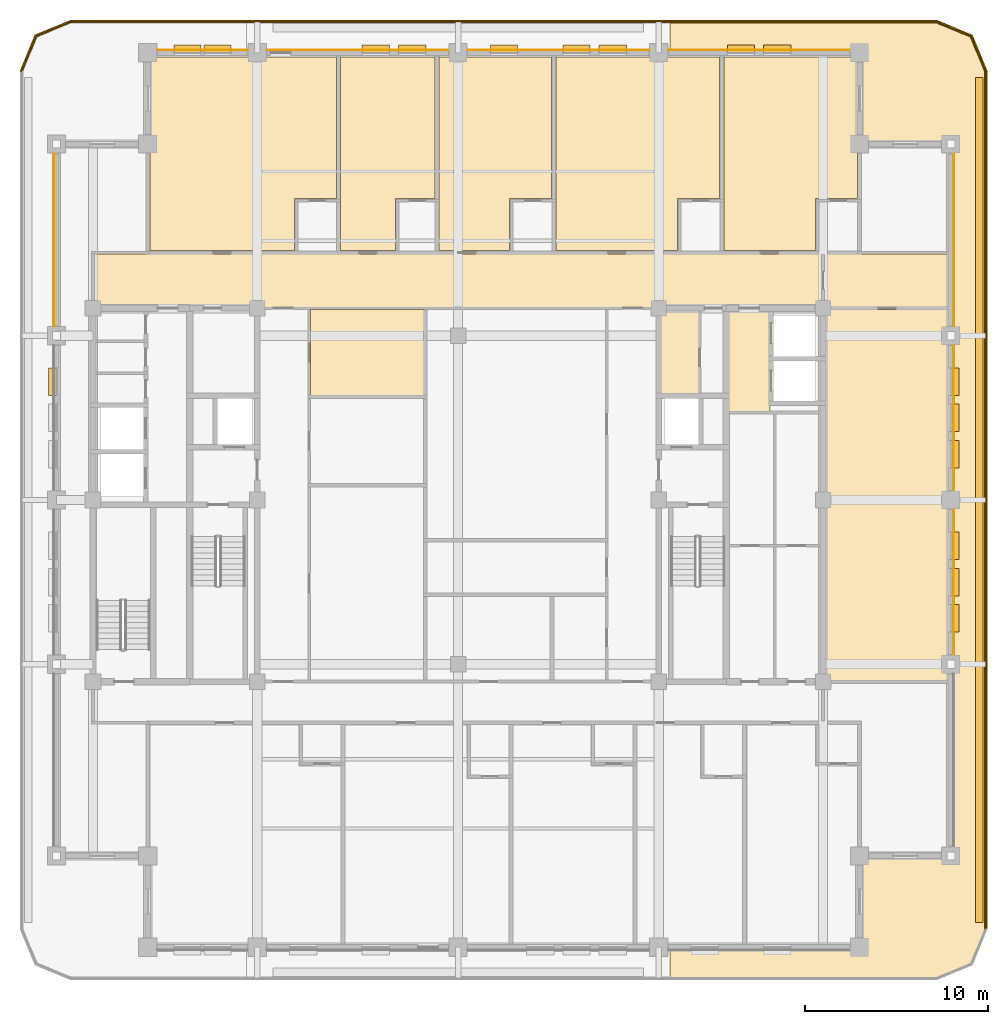
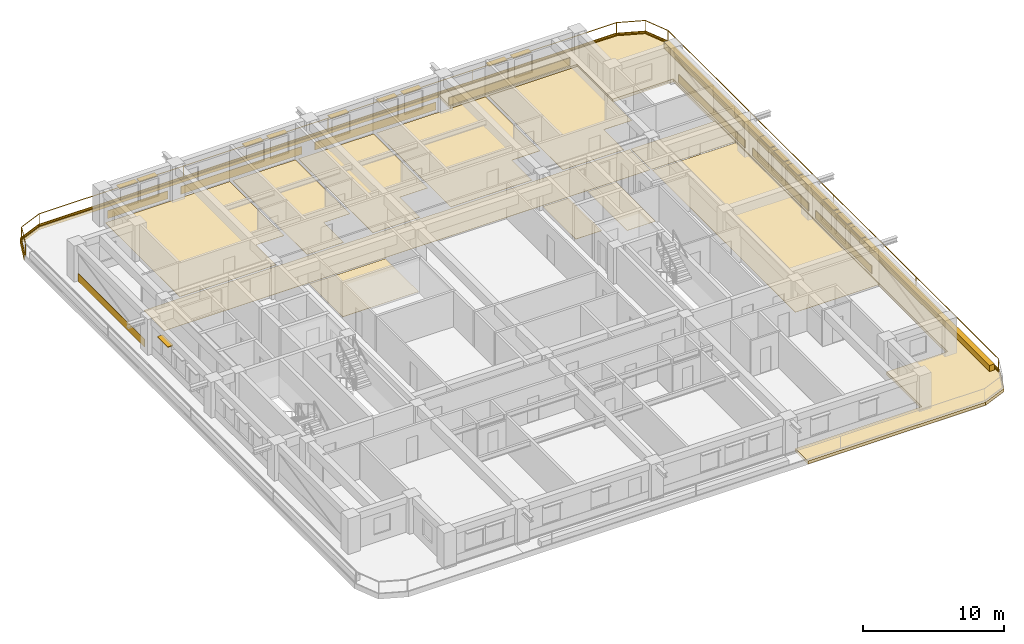
# One storey, part 15 of 15: 27 coverings, 16 shading devices, 2 railings.
"""IFC4 building model written with IfcOpenShell, lengths in metres."""

from ifc_helpers import new_model, si_unit, direction, frame, frame_2d, origin, origin_2d, place, context, subcontext, project, spatial, polyline, rectangle, outline, extrude, material, layer, layer_set, type_object, element, save


model = new_model("IFC4")

# Units and contexts
model_context = context("Model", 3, precision=1e-05, world=origin(), true_north=direction((0.0, 1.0)))
body_context = subcontext(model_context, "Body", "Model", "MODEL_VIEW")
ifc_project = project(units=[si_unit("LENGTHUNIT", "METRE"), si_unit("AREAUNIT", "SQUARE_METRE"), si_unit("VOLUMEUNIT", "CUBIC_METRE"), si_unit("PLANEANGLEUNIT", "RADIAN"), si_unit("MASSUNIT", "GRAM", prefix="KILO")], contexts=[model_context])

# Site, building, storey
site_placement = place(None, origin())
site = spatial("IfcSite", under=ifc_project, at=site_placement, CompositionType="ELEMENT")
building_placement = place(site_placement, origin())
building = spatial("IfcBuilding", under=site, at=building_placement, Name="Zulmaris Gate Convention Tower", CompositionType="ELEMENT")
storey_placement = place(building_placement, frame((0.0, 0.0, 172.85986328125)))
storey = spatial("IfcBuildingStorey", under=building, at=storey_placement, Name="L44", CompositionType="ELEMENT", Elevation=172.85986328125)

# Coverings
ifc_material_1 = material(Name="Precast concrete C40/50", Category="concrete")
ifc_layer_1 = layer(ifc_material_1, 0.0400390625, Name="Precast concrete C40/50")
ifc_layer_set_1 = layer_set([ifc_layer_1], Name="Precast concrete C40/50")
covering_type_1 = type_object("IfcCoveringType", Name="CLAD-SPANDREL-PRECAST", PredefinedType="CLADDING", material=ifc_layer_set_1)
covering_1_placement = place(storey_placement, frame((-11.530029296875, 24.64990234375, 0.0), z_axis=(0.0, 0.0, 1.0), x_axis=(-1.0, 0.0, 0.0)))
element("IfcCovering", 1, at=covering_1_placement, inside=storey, type_object=covering_type_1, Name="CLD-L44-N-0_0", PredefinedType="CLADDING", context=body_context, shape_type="SweptSolid", body=[
    extrude(rectangle(XDim=4.93994140625, YDim=0.0400390625, at=frame_2d((2.469970703125, 0.0))), origin(), (0.0, 0.0, 1.0), 0.679931640625),
])
for number, where, z_axis, x_axis, name in (
    (2, (-0.530029296875, 24.64990234375, 0.0), (0.0, 0.0, 1.0), (-1.0, 0.0, 0.0), "CLD-L44-N-1_0"),
    (3, (10.469970703125, 24.64990234375, 0.0), (0.0, 0.0, 1.0), (-1.0, 0.0, 0.0), "CLD-L44-N-2_0"),
    (4, (21.469970703125, 24.64990234375, 0.0), (0.0, 0.0, 1.0), (-1.0, 0.0, 0.0), "CLD-L44-N-3_0"),
):
    element("IfcCovering", number, at=place(storey_placement, frame(where, z_axis=z_axis, x_axis=x_axis)), inside=storey, type_object=covering_type_1, Name=name, PredefinedType="CLADDING", context=body_context, shape_type="SweptSolid", body=[
        extrude(rectangle(XDim=9.93994140625, YDim=0.0400390625, at=frame_2d((4.969970703125, 0.0))), origin(), (0.0, 0.0, 1.0), 0.679931640625),
    ])
for number, where, z_axis, x_axis, name in (
    (5, (27.14990234375, -8.469970703125, 0.0), (0.0, 0.0, 1.0), (0.0, 1.0, 0.0), "CLD-L44-E-1_0"),
    (6, (27.14990234375, 0.530029296875, 0.0), (0.0, 0.0, 1.0), (0.0, 1.0, 0.0), "CLD-L44-E-2_0"),
):
    element("IfcCovering", number, at=place(storey_placement, frame(where, z_axis=z_axis, x_axis=x_axis)), inside=storey, type_object=covering_type_1, Name=name, PredefinedType="CLADDING", context=body_context, shape_type="SweptSolid", body=[
        extrude(rectangle(XDim=7.93994140625, YDim=0.0400390625, at=frame_2d((3.969970703125, 0.0))), origin(), (0.0, 0.0, 1.0), 0.679931640625),
    ])
for number, where, z_axis, x_axis, name in (
    (7, (27.14990234375, 9.530029296875, 0.0), (0.0, 0.0, 1.0), (0.0, 1.0, 0.0), "CLD-L44-E-3_0"),
    (8, (-22.14990234375, 18.969970703125, 0.0), (0.0, 0.0, 1.0), (0.0, -1.0, 0.0), "CLD-L44-W-3_0"),
):
    element("IfcCovering", number, at=place(storey_placement, frame(where, z_axis=z_axis, x_axis=x_axis)), inside=storey, type_object=covering_type_1, Name=name, PredefinedType="CLADDING", context=body_context, shape_type="SweptSolid", body=[
        extrude(rectangle(XDim=9.43994140625, YDim=0.0400390625, at=frame_2d((4.719970703125, 0.0))), origin(), (0.0, 0.0, 1.0), 0.679931640625),
    ])
ifc_material_2 = material(Name="White Glazed Architectural Precast Concrete C40/50", Category="concrete")
ifc_layer_2 = layer(ifc_material_2, 0.239990234375, Name="White Glazed Architectural Precast Concrete C40/50")
ifc_layer_set_2 = layer_set([ifc_layer_2], Name="White Glazed Architectural Precast Concrete C40/50")
covering_type_2 = type_object("IfcCoveringType", Name="CLAD-TRAY-DECK", PredefinedType="CLADDING", material=ifc_layer_set_2)
covering_2_placement = place(storey_placement, frame((0.0, 0.0, -0.25)))
element("IfcCovering", 9, at=covering_2_placement, inside=storey, type_object=covering_type_2, Name="L44 East Rounded-Fascia Planter Tray Deck", PredefinedType="CLADDING", context=body_context, shape_type="SweptSolid", body=[
    extrude(outline(polyline([(26.199951171875, 26.300048828125), (28.179931640625, 25.47998046875), (29.0, 23.5), (29.0, -23.5), (28.179931640625, -25.47998046875), (26.199951171875, -26.300048828125), (11.60205078125, -26.300048828125), (11.60205078125, -24.5), (22.0, -24.5), (22.0, -19.5), (27.0, -19.5), (27.0, 19.5), (22.0, 19.5), (22.0, 24.5), (11.60205078125, 24.5), (11.60205078125, 26.300048828125), (26.199951171875, 26.300048828125)])), origin(), (0.0, 0.0, 1.0), 0.260009765625),
])
ifc_layer_3 = layer(ifc_material_2, 0.080078125, Name="White Glazed Architectural Precast Concrete C40/50")
ifc_layer_set_3 = layer_set([ifc_layer_3], Name="White Glazed Architectural Precast Concrete C40/50")
covering_type_3 = type_object("IfcCoveringType", Name="CLAD-TRAY-FASCIA", PredefinedType="CLADDING", material=ifc_layer_set_3)
covering_3_placement = place(storey_placement, frame((28.9599609375, -23.5, -0.2900390625), z_axis=(0.0, 0.0, 1.0), x_axis=(0.0, 1.0, 0.0)))
element("IfcCovering", 10, at=covering_3_placement, inside=storey, type_object=covering_type_3, Name="FSC-L44-TR-05", PredefinedType="CLADDING", context=body_context, shape_type="SweptSolid", body=[
    extrude(rectangle(XDim=47.0, YDim=0.080078125, at=frame_2d((23.5, 0.0))), origin(), (0.0, 0.0, 1.0), 0.4599609375),
])
covering_4_placement = place(storey_placement, frame((28.962890625, 23.484619140625, -0.2900390625), z_axis=(0.0, 0.0, 1.0), x_axis=(-0.382656984709, 0.923890487046, 0.0)))
element("IfcCovering", 11, at=covering_4_placement, inside=storey, type_object=covering_type_3, Name="FSC-L44-TR-06", PredefinedType="CLADDING", context=body_context, shape_type="SweptSolid", body=[
    extrude(rectangle(XDim=2.14306640625, YDim=0.080078125, at=frame_2d((1.071533203125, 0.0))), origin(), (0.0, 0.0, 1.0), 0.4599609375),
])
covering_5_placement = place(storey_placement, frame((28.16455078125, 25.44287109375, -0.2900390625), z_axis=(0.0, 0.0, 1.0), x_axis=(-0.923873803533, 0.382697263049, 0.0)))
element("IfcCovering", 12, at=covering_5_placement, inside=storey, type_object=covering_type_3, Name="FSC-L44-TR-07", PredefinedType="CLADDING", context=body_context, shape_type="SweptSolid", body=[
    extrude(rectangle(XDim=2.142822265625, YDim=0.080078125, at=frame_2d((1.0712890625, 0.0))), origin(), (0.0, 0.0, 1.0), 0.4599609375),
])
covering_6_placement = place(storey_placement, frame((26.199951171875, 26.260009765625, -0.2900390625), z_axis=(0.0, 0.0, 1.0), x_axis=(-1.0, 0.0, 0.0)))
element("IfcCovering", 13, at=covering_6_placement, inside=storey, type_object=covering_type_3, Name="FSC-L44-TR-08", PredefinedType="CLADDING", context=body_context, shape_type="SweptSolid", body=[
    extrude(rectangle(XDim=47.39990234375, YDim=0.080078125, at=frame_2d((23.699951171875, 0.0))), origin(), (0.0, 0.0, 1.0), 0.4599609375),
])
covering_7_placement = place(storey_placement, frame((-21.184814453125, 26.262939453125, -0.2900390625), z_axis=(0.0, 0.0, 1.0), x_axis=(-0.923873803533, -0.382697263049, 0.0)))
element("IfcCovering", 14, at=covering_7_placement, inside=storey, type_object=covering_type_3, Name="FSC-L44-TR-09", PredefinedType="CLADDING", context=body_context, shape_type="SweptSolid", body=[
    extrude(rectangle(XDim=2.142822265625, YDim=0.080078125, at=frame_2d((1.0712890625, 0.0))), origin(), (0.0, 0.0, 1.0), 0.4599609375),
])
covering_8_placement = place(storey_placement, frame((-23.142822265625, 25.464599609375, -0.2900390625), z_axis=(0.0, 0.0, 1.0), x_axis=(-0.382656984709, -0.923890487046, 0.0)))
element("IfcCovering", 15, at=covering_8_placement, inside=storey, type_object=covering_type_3, Name="FSC-L44-TR-10", PredefinedType="CLADDING", context=body_context, shape_type="SweptSolid", body=[
    extrude(rectangle(XDim=2.14306640625, YDim=0.080078125, at=frame_2d((1.071533203125, 0.0))), origin(), (0.0, 0.0, 1.0), 0.4599609375),
])
ifc_material_3 = material(Name="Woven Acoustic Wool Carpet Tile")
ifc_layer_4 = layer(ifc_material_3, 0.02001953125, Name="Woven Acoustic Wool Carpet Tile")
ifc_layer_set_4 = layer_set([ifc_layer_4], Name="Woven Acoustic Wool Carpet Tile")
covering_type_4 = type_object("IfcCoveringType", Name="FLR-CARPET-12", PredefinedType="FLOORING", material=ifc_layer_set_4)
covering_9_placement = place(storey_placement, origin())
element("IfcCovering", 16, at=covering_9_placement, inside=storey, type_object=covering_type_4, Name="FLR-L44-R12", PredefinedType="FLOORING", context=body_context, shape_type="SweptSolid", body=[
    extrude(outline(polyline([(11.06005859375, 5.760009765625), (13.18994140625, 5.760009765625), (13.18994140625, 10.43994140625), (11.06005859375, 10.43994140625), (11.06005859375, 5.760009765625)])), origin(), (0.0, 0.0, 1.0), 0.02001953125),
])
covering_10_placement = place(storey_placement, origin())
element("IfcCovering", 17, at=covering_10_placement, inside=storey, type_object=covering_type_4, Name="FLR-L44-R24", PredefinedType="FLOORING", context=body_context, shape_type="SweptSolid", body=[
    extrude(outline(polyline([(14.760009765625, 4.860107421875), (17.090087890625, 4.860107421875), (17.090087890625, 10.43994140625), (14.760009765625, 10.43994140625), (14.760009765625, 4.860107421875)])), origin(), (0.0, 0.0, 1.0), 0.02001953125),
])
covering_11_placement = place(storey_placement, origin())
element("IfcCovering", 18, at=covering_11_placement, inside=storey, type_object=covering_type_4, Name="FLR-L44-R31", PredefinedType="FLOORING", context=body_context, shape_type="SweptSolid", body=[
    extrude(outline(polyline([(-19.93994140625, 10.56005859375), (19.93994140625, 10.56005859375), (19.93994140625, 13.489990234375), (-19.93994140625, 13.489990234375), (-19.93994140625, 10.56005859375)])), origin(), (0.0, 0.0, 1.0), 0.02001953125),
])
covering_12_placement = place(storey_placement, origin())
element("IfcCovering", 19, at=covering_12_placement, inside=storey, type_object=covering_type_4, Name="FLR-L44-R38", PredefinedType="FLOORING", context=body_context, shape_type="SweptSolid", body=[
    extrude(outline(polyline([(-6.429931640625, 13.669921875), (-3.429931640625, 13.669921875), (-3.429931640625, 16.52001953125), (-1.27001953125, 16.52001953125), (-1.27001953125, 24.260009765625), (-6.429931640625, 24.260009765625), (-6.429931640625, 13.669921875)])), origin(), (0.0, 0.0, 1.0), 0.02001953125),
])
covering_13_placement = place(storey_placement, origin())
element("IfcCovering", 20, at=covering_13_placement, inside=storey, type_object=covering_type_4, Name="FLR-L44-R62", PredefinedType="FLOORING", context=body_context, shape_type="SweptSolid", body=[
    extrude(outline(polyline([(20.06005859375, 10.56005859375), (26.93994140625, 10.56005859375), (26.93994140625, 13.489990234375), (20.06005859375, 13.489990234375), (20.06005859375, 10.56005859375)])), origin(), (0.0, 0.0, 1.0), 0.02001953125),
])
ifc_material_4 = material(Name="Engineered Teak Parquet Flooring")
ifc_layer_5 = layer(ifc_material_4, 0.02001953125, Name="Engineered Teak Parquet Flooring")
ifc_layer_set_5 = layer_set([ifc_layer_5], Name="Engineered Teak Parquet Flooring")
covering_type_5 = type_object("IfcCoveringType", Name="FLR-TIMBER-18", PredefinedType="FLOORING", material=ifc_layer_set_5)
covering_14_placement = place(storey_placement, origin())
element("IfcCovering", 21, at=covering_14_placement, inside=storey, type_object=covering_type_5, Name="FLR-L44-R36", PredefinedType="FLOORING", context=body_context, shape_type="SweptSolid", body=[
    extrude(outline(polyline([(-16.8798828125, 13.669921875), (-8.969970703125, 13.669921875), (-8.969970703125, 16.52001953125), (-6.669921875, 16.52001953125), (-6.669921875, 24.260009765625), (-16.8798828125, 24.260009765625), (-16.8798828125, 13.669921875)])), origin(), (0.0, 0.0, 1.0), 0.02001953125),
])
covering_15_placement = place(storey_placement, origin())
element("IfcCovering", 22, at=covering_15_placement, inside=storey, type_object=covering_type_5, Name="FLR-L44-R40", PredefinedType="FLOORING", context=body_context, shape_type="SweptSolid", body=[
    extrude(outline(polyline([(-1.030029296875, 13.669921875), (2.830078125, 13.669921875), (2.830078125, 16.52001953125), (5.1298828125, 16.52001953125), (5.1298828125, 24.260009765625), (-1.030029296875, 24.260009765625), (-1.030029296875, 13.669921875)])), origin(), (0.0, 0.0, 1.0), 0.02001953125),
])
covering_16_placement = place(storey_placement, origin())
element("IfcCovering", 23, at=covering_16_placement, inside=storey, type_object=covering_type_5, Name="FLR-L44-R42", PredefinedType="FLOORING", context=body_context, shape_type="SweptSolid", body=[
    extrude(outline(polyline([(5.3701171875, 13.669921875), (12.030029296875, 13.669921875), (12.030029296875, 16.52001953125), (14.330078125, 16.52001953125), (14.330078125, 24.260009765625), (5.3701171875, 24.260009765625), (5.3701171875, 13.669921875)])), origin(), (0.0, 0.0, 1.0), 0.02001953125),
])
covering_17_placement = place(storey_placement, origin())
element("IfcCovering", 24, at=covering_17_placement, inside=storey, type_object=covering_type_5, Name="FLR-L44-R44", PredefinedType="FLOORING", context=body_context, shape_type="SweptSolid", body=[
    extrude(outline(polyline([(14.570068359375, 13.669921875), (19.580078125, 13.669921875), (19.580078125, 16.52001953125), (21.8798828125, 16.52001953125), (21.8798828125, 24.260009765625), (14.570068359375, 24.260009765625), (14.570068359375, 13.669921875)])), origin(), (0.0, 0.0, 1.0), 0.02001953125),
])
covering_18_placement = place(storey_placement, origin())
element("IfcCovering", 25, at=covering_18_placement, inside=storey, type_object=covering_type_5, Name="FLR-L44-R55", PredefinedType="FLOORING", context=body_context, shape_type="SweptSolid", body=[
    extrude(outline(polyline([(-8.090087890625, 5.7099609375), (-1.860107421875, 5.7099609375), (-1.860107421875, 10.43994140625), (-8.090087890625, 10.43994140625), (-8.090087890625, 5.7099609375)])), origin(), (0.0, 0.0, 1.0), 0.02001953125),
])
covering_19_placement = place(storey_placement, origin())
element("IfcCovering", 26, at=covering_19_placement, inside=storey, type_object=covering_type_5, Name="FLR-L44-R63", PredefinedType="FLOORING", context=body_context, shape_type="SweptSolid", body=[
    extrude(outline(polyline([(20.06005859375, -9.889892578125), (26.93994140625, -9.889892578125), (26.93994140625, 10.43994140625), (20.06005859375, 10.43994140625), (20.06005859375, -9.889892578125)])), origin(), (0.0, 0.0, 1.0), 0.02001953125),
])
ifc_material_5 = material(Name="Botanical Green Glazed Precast Concrete C40/50", Category="concrete")
ifc_layer_6 = layer(ifc_material_5, 0.419921875, Name="Botanical Green Glazed Precast Concrete C40/50")
ifc_layer_set_6 = layer_set([ifc_layer_6], Name="Botanical Green Glazed Precast Concrete C40/50")
covering_type_6 = type_object("IfcCoveringType", Name="PLANTER-BOX-200", PredefinedType="CLADDING", material=ifc_layer_set_6)
covering_20_placement = place(storey_placement, frame((0.0, 0.0, 0.010009765625)))
element("IfcCovering", 27, at=covering_20_placement, inside=storey, type_object=covering_type_6, Name="L44 E Full-Length Balcony Tree Planter Trough", PredefinedType="CLADDING", context=body_context, shape_type="SweptSolid", body=[
    extrude(outline(polyline([(28.340087890625, -23.14990234375), (28.760009765625, -23.14990234375), (28.760009765625, 23.14990234375), (28.340087890625, 23.14990234375), (28.340087890625, -23.14990234375)])), origin(), (0.0, 0.0, 1.0), 0.52001953125),
])

# Railings
ifc_material_6 = material(Name="Laminated Glass and Stainless Steel", Category="steel")
railing_type = type_object("IfcRailingType", Name="RL-BALC-1150", PredefinedType="BALUSTRADE", material=ifc_material_6)
railing_1_placement = place(storey_placement, frame((28.8798828125, -23.5, 0.010009765625)))
element("IfcRailing", 28, at=railing_1_placement, inside=storey, type_object=railing_type, Name="RL-L44-BALC-E", PredefinedType="BALUSTRADE", context=body_context, shape_type="SweptSolid", body=[
    extrude(rectangle(XDim=0.048095703125, YDim=0.048095703125, at=origin_2d()), frame((0.0, 0.0, 1.1259765625), z_axis=(0.0, 1.0, 0.0), x_axis=(-1.0, 0.0, 0.0)), (0.0, 0.0, 1.0), 47.0),
    extrude(rectangle(XDim=0.048095703125, YDim=0.048095703125, at=origin_2d()), frame((0.0, 0.0, 0.02392578125), z_axis=(0.0, 1.0, 0.0), x_axis=(-1.0, 0.0, 0.0)), (0.0, 0.0, 1.0), 47.0),
    extrude(rectangle(XDim=0.0419921875, YDim=0.0419921875, at=origin_2d()), origin(), (0.0, 0.0, 1.0), 1.101806640625),
    extrude(rectangle(XDim=0.0419921875, YDim=0.0419921875, at=origin_2d()), frame((0.0, 11.75, 0.0)), (0.0, 0.0, 1.0), 1.101806640625),
    extrude(rectangle(XDim=0.0419921875, YDim=0.0419921875, at=origin_2d()), frame((0.0, 23.5, 0.0)), (0.0, 0.0, 1.0), 1.101806640625),
    extrude(rectangle(XDim=0.0419921875, YDim=0.0419921875, at=origin_2d()), frame((0.0, 35.25, 0.0)), (0.0, 0.0, 1.0), 1.101806640625),
    extrude(rectangle(XDim=0.0419921875, YDim=0.0419921875, at=origin_2d()), frame((0.0, 47.0, 0.0)), (0.0, 0.0, 1.0), 1.101806640625),
])
railing_2_placement = place(storey_placement, frame((28.8798828125, 23.5, 0.010009765625)))
element("IfcRailing", 29, at=railing_2_placement, inside=storey, type_object=railing_type, Name="RL-L44-BALC-N", PredefinedType="BALUSTRADE", context=body_context, shape_type="SweptSolid", body=[
    extrude(rectangle(XDim=0.048095703125, YDim=0.048095703125, at=origin_2d()), frame((0.0, 0.0, 1.1259765625), z_axis=(-0.382670664694, 0.92388482095, 0.0), x_axis=(-0.92388482095, -0.382670664694, 0.0)), (0.0, 0.0, 1.0), 2.051025390625),
    extrude(rectangle(XDim=0.048095703125, YDim=0.048095703125, at=origin_2d()), frame((0.0, 0.0, 0.02392578125), z_axis=(-0.382670664694, 0.92388482095, 0.0), x_axis=(-0.92388482095, -0.382670664694, 0.0)), (0.0, 0.0, 1.0), 2.051025390625),
    extrude(rectangle(XDim=0.048095703125, YDim=0.048095703125, at=origin_2d()), frame((-0.784912109375, 1.89501953125, 1.1259765625), z_axis=(-0.92388482095, 0.382670664694, 0.0), x_axis=(-0.382670664694, -0.92388482095, 0.0)), (0.0, 0.0, 1.0), 2.051025390625),
    extrude(rectangle(XDim=0.048095703125, YDim=0.048095703125, at=origin_2d()), frame((-0.784912109375, 1.89501953125, 0.02392578125), z_axis=(-0.92388482095, 0.382670664694, 0.0), x_axis=(-0.382670664694, -0.92388482095, 0.0)), (0.0, 0.0, 1.0), 2.051025390625),
    extrude(rectangle(XDim=0.048095703125, YDim=0.048095703125, at=origin_2d()), frame((-2.679931640625, 2.679931640625, 1.1259765625), z_axis=(-1.0, 0.0, 0.0), x_axis=(0.0, -1.0, 0.0)), (0.0, 0.0, 1.0), 47.39990234375),
    extrude(rectangle(XDim=0.048095703125, YDim=0.048095703125, at=origin_2d()), frame((-2.679931640625, 2.679931640625, 0.02392578125), z_axis=(-1.0, 0.0, 0.0), x_axis=(0.0, -1.0, 0.0)), (0.0, 0.0, 1.0), 47.39990234375),
    extrude(rectangle(XDim=0.048095703125, YDim=0.048095703125, at=origin_2d()), frame((-50.079833984375, 2.679931640625, 1.1259765625), z_axis=(-0.92388482095, -0.382670664694, 0.0), x_axis=(0.382670664694, -0.92388482095, 0.0)), (0.0, 0.0, 1.0), 2.051025390625),
    extrude(rectangle(XDim=0.048095703125, YDim=0.048095703125, at=origin_2d()), frame((-50.079833984375, 2.679931640625, 0.02392578125), z_axis=(-0.92388482095, -0.382670664694, 0.0), x_axis=(0.382670664694, -0.92388482095, 0.0)), (0.0, 0.0, 1.0), 2.051025390625),
    extrude(rectangle(XDim=0.048095703125, YDim=0.048095703125, at=origin_2d()), frame((-51.974853515625, 1.89501953125, 1.1259765625), z_axis=(-0.382670664694, -0.92388482095, 0.0), x_axis=(0.92388482095, -0.382670664694, 0.0)), (0.0, 0.0, 1.0), 2.051025390625),
    extrude(rectangle(XDim=0.048095703125, YDim=0.048095703125, at=origin_2d()), frame((-51.974853515625, 1.89501953125, 0.02392578125), z_axis=(-0.382670664694, -0.92388482095, 0.0), x_axis=(0.92388482095, -0.382670664694, 0.0)), (0.0, 0.0, 1.0), 2.051025390625),
    extrude(rectangle(XDim=0.0419921875, YDim=0.0419921875, at=origin_2d()), origin(), (0.0, 0.0, 1.0), 1.101806640625),
    extrude(rectangle(XDim=0.0419921875, YDim=0.0419921875, at=origin_2d()), frame((-0.784912109375, 1.89501953125, 0.0)), (0.0, 0.0, 1.0), 1.101806640625),
    extrude(rectangle(XDim=0.0419921875, YDim=0.0419921875, at=origin_2d()), frame((-2.679931640625, 2.679931640625, 0.0)), (0.0, 0.0, 1.0), 1.101806640625),
    extrude(rectangle(XDim=0.0419921875, YDim=0.0419921875, at=origin_2d()), frame((-14.52978515625, 2.679931640625, 0.0)), (0.0, 0.0, 1.0), 1.101806640625),
    extrude(rectangle(XDim=0.0419921875, YDim=0.0419921875, at=origin_2d()), frame((-26.3798828125, 2.679931640625, 0.0)), (0.0, 0.0, 1.0), 1.101806640625),
    extrude(rectangle(XDim=0.0419921875, YDim=0.0419921875, at=origin_2d()), frame((-38.22998046875, 2.679931640625, 0.0)), (0.0, 0.0, 1.0), 1.101806640625),
    extrude(rectangle(XDim=0.0419921875, YDim=0.0419921875, at=origin_2d()), frame((-50.079833984375, 2.679931640625, 0.0)), (0.0, 0.0, 1.0), 1.101806640625),
    extrude(rectangle(XDim=0.0419921875, YDim=0.0419921875, at=origin_2d()), frame((-51.974853515625, 1.89501953125, 0.0)), (0.0, 0.0, 1.0), 1.101806640625),
    extrude(rectangle(XDim=0.0419921875, YDim=0.0419921875, at=origin_2d()), frame((-52.759765625, 0.0, 0.0)), (0.0, 0.0, 1.0), 1.101806640625),
])

# Shading devices
ifc_material_7 = material(Name="Glazed Ceramic Terracotta", Category="masonry")
ifc_layer_7 = layer(ifc_material_7, 0.070068359375, Name="Glazed Ceramic Terracotta")
ifc_layer_set_7 = layer_set([ifc_layer_7], Name="Glazed Ceramic Terracotta")
shading_device_type = type_object("IfcShadingDeviceType", Name="SHD-SUNSHADE-TC", PredefinedType="AWNING", material=ifc_layer_set_7)
for number, where, z_axis, x_axis, name in (
    (30, (-12.427001953125, 24.719970703125, 2.35009765625), (0.0, 0.0, 1.0), (-1.0, 0.0, 0.0), "SHD-EW-L44-N-0_0-1"),
    (31, (-14.072998046875, 24.719970703125, 2.35009765625), (0.0, 0.0, 1.0), (-1.0, 0.0, 0.0), "SHD-EW-L44-N-0_0-2"),
    (32, (-1.76806640625, 24.719970703125, 2.35009765625), (0.0, 0.0, 1.0), (-1.0, 0.0, 0.0), "SHD-EW-L44-N-1_0-1"),
    (33, (-3.756103515625, 24.719970703125, 2.35009765625), (0.0, 0.0, 1.0), (-1.0, 0.0, 0.0), "SHD-EW-L44-N-1_0-2"),
    (34, (9.23193359375, 24.719970703125, 2.35009765625), (0.0, 0.0, 1.0), (-1.0, 0.0, 0.0), "SHD-EW-L44-N-2_0-1"),
    (35, (7.243896484375, 24.719970703125, 2.35009765625), (0.0, 0.0, 1.0), (-1.0, 0.0, 0.0), "SHD-EW-L44-N-2_0-2"),
    (36, (3.26806640625, 24.719970703125, 2.35009765625), (0.0, 0.0, 1.0), (-1.0, 0.0, 0.0), "SHD-EW-L44-N-2_0-4"),
    (37, (18.243896484375, 24.719970703125, 2.35009765625), (0.0, 0.0, 1.0), (-1.0, 0.0, 0.0), "SHD-EW-L44-N-3_0-2"),
    (38, (16.256103515625, 24.719970703125, 2.35009765625), (0.0, 0.0, 1.0), (-1.0, 0.0, 0.0), "SHD-EW-L44-N-3_0-3"),
    (39, (27.219970703125, -7.235107421875, 2.35009765625), (0.0, 0.0, 1.0), (0.0, 1.0, 0.0), "SHD-EW-L44-E-1_0-1"),
    (40, (27.219970703125, -5.25, 2.35009765625), (0.0, 0.0, 1.0), (0.0, 1.0, 0.0), "SHD-EW-L44-E-1_0-2"),
    (41, (27.219970703125, -3.264892578125, 2.35009765625), (0.0, 0.0, 1.0), (0.0, 1.0, 0.0), "SHD-EW-L44-E-1_0-3"),
    (42, (27.219970703125, 1.764892578125, 2.35009765625), (0.0, 0.0, 1.0), (0.0, 1.0, 0.0), "SHD-EW-L44-E-2_0-1"),
    (43, (27.219970703125, 3.75, 2.35009765625), (0.0, 0.0, 1.0), (0.0, 1.0, 0.0), "SHD-EW-L44-E-2_0-2"),
    (44, (27.219970703125, 5.735107421875, 2.35009765625), (0.0, 0.0, 1.0), (0.0, 1.0, 0.0), "SHD-EW-L44-E-2_0-3"),
    (45, (-22.219970703125, 7.235107421875, 2.35009765625), (0.0, 0.0, 1.0), (0.0, -1.0, 0.0), "SHD-EW-L44-W-2_0-1"),
):
    element("IfcShadingDevice", number, at=place(storey_placement, frame(where, z_axis=z_axis, x_axis=x_axis)), inside=storey, type_object=shading_device_type, Name=name, PredefinedType="AWNING", context=body_context, shape_type="SweptSolid", body=[
        extrude(rectangle(XDim=1.5, YDim=0.43994140625, at=frame_2d((0.75, 0.0))), origin(), (0.0, 0.0, 1.0), 0.06982421875),
    ])

save(model, "model.ifc")
